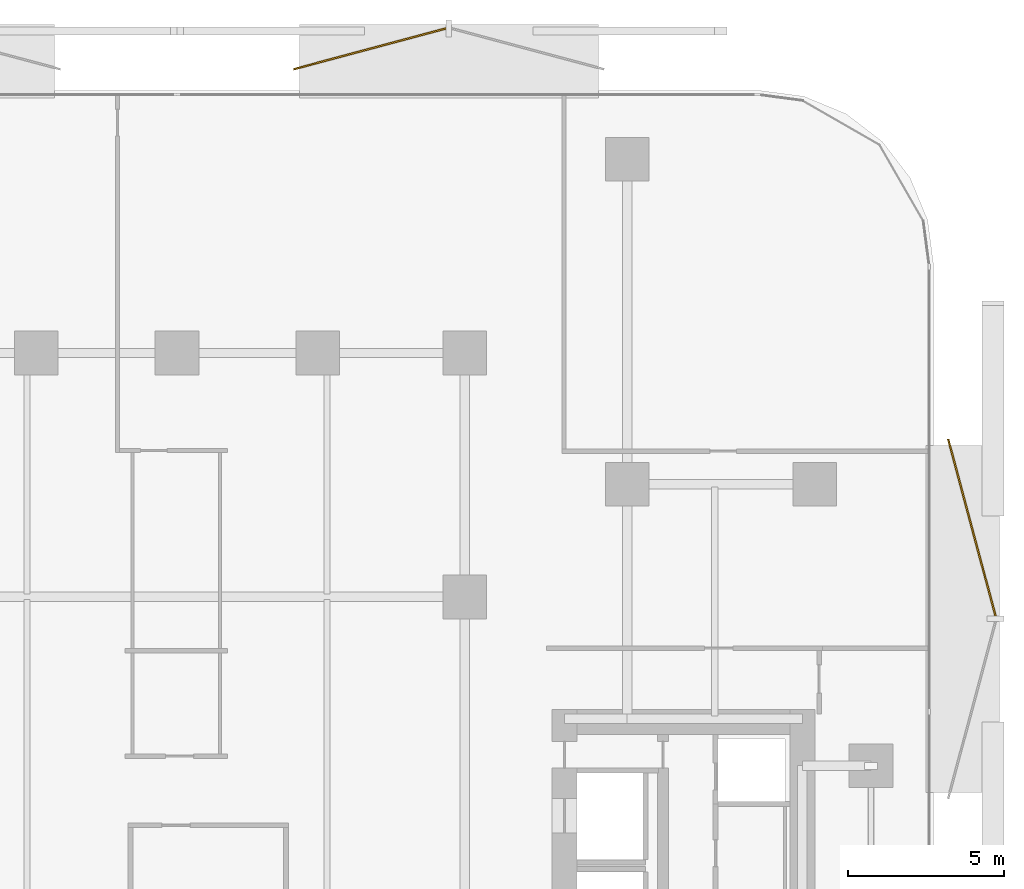
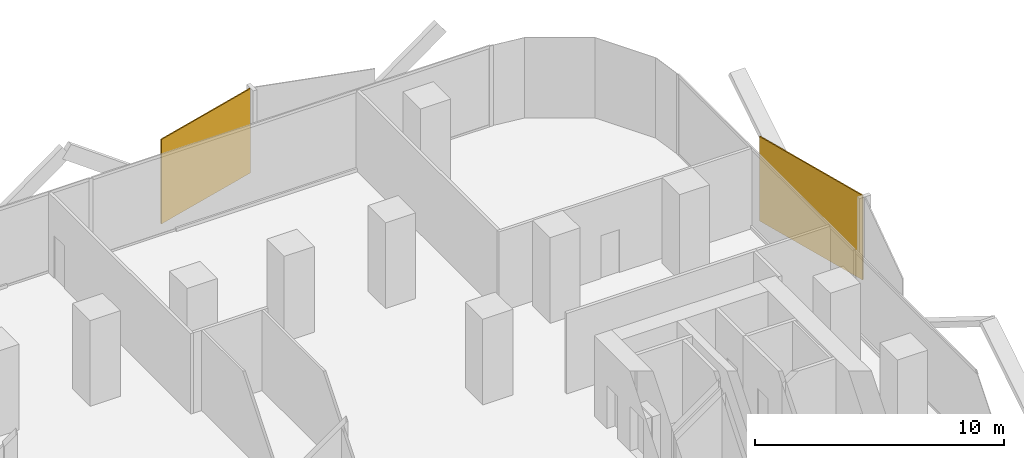
# One storey, part 15 of 15: 2 coverings.
"""IFC4 building model written with IfcOpenShell, lengths in metres."""

from ifc_helpers import new_model, si_unit, direction, frame, origin, origin_2d, place, context, subcontext, project, spatial, rectangle, extrude, material, layer, layer_set, type_object, element, save


model = new_model("IFC4")

# Units and contexts
model_context = context("Model", 3, precision=1e-05, world=origin(), true_north=direction((0.0, 1.0)))
body_context = subcontext(model_context, "Body", "Model", "MODEL_VIEW")
ifc_project = project(units=[si_unit("LENGTHUNIT", "METRE"), si_unit("AREAUNIT", "SQUARE_METRE"), si_unit("VOLUMEUNIT", "CUBIC_METRE"), si_unit("PLANEANGLEUNIT", "RADIAN"), si_unit("MASSUNIT", "GRAM", prefix="KILO")], contexts=[model_context])

# Site, building, storey
site_placement = place(None, origin())
site = spatial("IfcSite", under=ifc_project, at=site_placement, CompositionType="ELEMENT")
building_placement = place(site_placement, origin())
building = spatial("IfcBuilding", under=site, at=building_placement, Name="Khairoan Windgate Tower", CompositionType="ELEMENT")
storey_placement = place(building_placement, frame((0.0, 0.0, 59.60009765625)))
storey = spatial("IfcBuildingStorey", under=building, at=storey_placement, Name="L14", CompositionType="ELEMENT", Elevation=59.60009765625)

# Coverings
ifc_material = material(Name="Anodised Bronze Aluminium 6063-T6", Category="aluminium")
ifc_layer = layer(ifc_material, 0.054931640625, Name="Anodised Bronze Aluminium 6063-T6")
ifc_layer_set = layer_set([ifc_layer], Name="Anodised Bronze Aluminium 6063-T6")
covering_type = type_object("IfcCoveringType", Name="Perforated Bronze-Ceramic Folded Solar Screen Cladding BSC-1", PredefinedType="CLADDING", material=ifc_layer_set)
covering_1_placement = place(storey_placement, frame((6.169921875, 28.327392578125, -0.10009765625), z_axis=(0.0, 0.0, 1.0), x_axis=(0.965925826289, 0.258819045103, 0.0)))
element("IfcCovering", 1, at=covering_1_placement, inside=storey, type_object=covering_type, Name="L14 Folded Bronze Solar Screen Facet 70L", PredefinedType="CLADDING", context=body_context, shape_type="SweptSolid", body=[
    extrude(rectangle(XDim=5.04296875, YDim=0.054931640625, at=origin_2d()), origin(), (0.0, 0.0, 1.0), 4.139892578125),
])
covering_2_placement = place(storey_placement, frame((25.42236328125, 13.01318359375, -0.10009765625), z_axis=(0.0, 0.0, 1.0), x_axis=(0.258819045103, -0.965925826289, 0.0)))
element("IfcCovering", 2, at=covering_2_placement, inside=storey, type_object=covering_type, Name="L14 Folded Bronze Solar Screen Facet 71L", PredefinedType="CLADDING", context=body_context, shape_type="SweptSolid", body=[
    extrude(rectangle(XDim=5.85498046875, YDim=0.054931640625, at=origin_2d()), origin(), (0.0, 0.0, 1.0), 4.139892578125),
])

save(model, "model.ifc")
